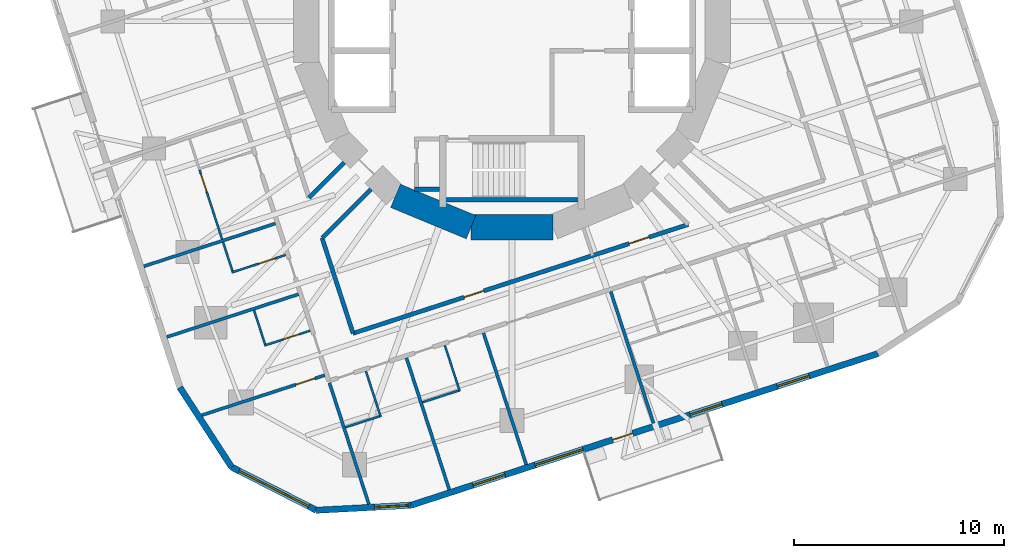
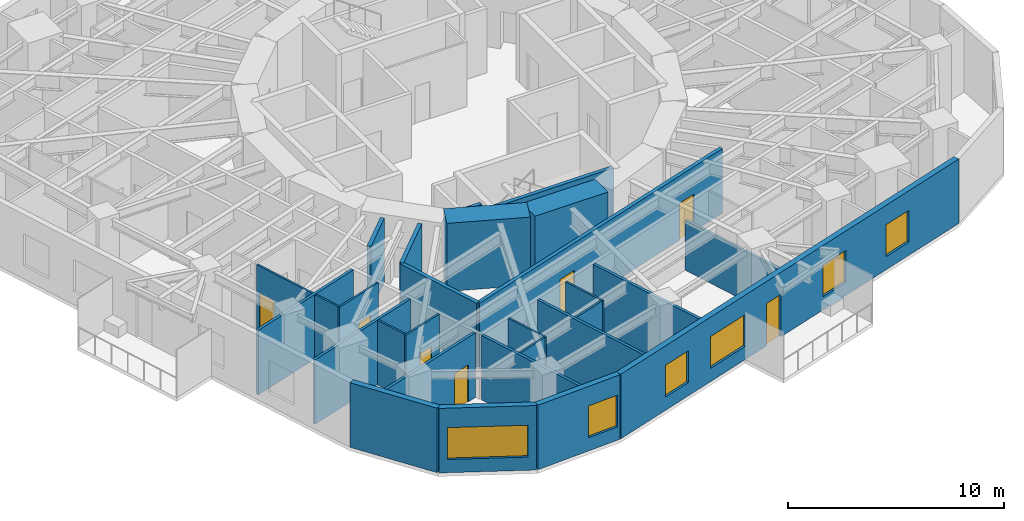
# One storey, part 4 of 12: 28 walls, 7 doors, 6 windows, 13 openings.
"""IFC4 building model written with IfcOpenShell, lengths in metres."""

from ifc_helpers import new_model, si_unit, direction, frame, frame_2d, origin, place, context, subcontext, project, spatial, rectangle, extrude, material, layer, layer_set, type_object, element, fill, save


model = new_model("IFC4")

# Units and contexts
model_context = context("Model", 3, precision=1e-05, world=origin(), true_north=direction((0.0, 1.0)))
body_context = subcontext(model_context, "Body", "Model", "MODEL_VIEW")
ifc_project = project(units=[si_unit("LENGTHUNIT", "METRE"), si_unit("AREAUNIT", "SQUARE_METRE"), si_unit("VOLUMEUNIT", "CUBIC_METRE"), si_unit("PLANEANGLEUNIT", "RADIAN"), si_unit("MASSUNIT", "GRAM", prefix="KILO")], contexts=[model_context])

# Site, building, storey
site_placement = place(None, origin())
site = spatial("IfcSite", under=ifc_project, at=site_placement, CompositionType="ELEMENT")
building_placement = place(site_placement, origin())
building = spatial("IfcBuilding", under=site, at=building_placement, Name="Nakasero Lantern House", CompositionType="ELEMENT")
storey_placement = place(building_placement, frame((0.0, 0.0, 149.5)))
storey = spatial("IfcBuildingStorey", under=building, at=storey_placement, Name="L36", CompositionType="ELEMENT", Elevation=149.5)

# Walls
ifc_material_1 = material(Name="Concrete C50/60", Category="concrete")
ifc_layer_1 = layer(ifc_material_1, 1.199951171875)
ifc_layer_set_1 = layer_set([ifc_layer_1], Name="Core wall 1200")
wall_type_1 = type_object("IfcWallType", Name="Core wall 1200", PredefinedType="SHEAR", material=ifc_layer_set_1)
for number, where, z_axis, x_axis, name in (
    (1, (-5.5556640625, -8.314697265625, 0.0), (0.0, 0.0, 1.0), (0.923876507187, -0.382690736062, 0.0), "Core wall L36 facet 11"),
    (2, (-1.950927734375, -9.807861328125, 0.0), (0.0, 0.0, 1.0), (1.0, 0.0, 0.0), "Core wall L36 facet 12"),
):
    element("IfcWall", number, at=place(storey_placement, frame(where, z_axis=z_axis, x_axis=x_axis)), inside=storey, type_object=wall_type_1, Name=name, PredefinedType="SHEAR", context=body_context, shape_type="SweptSolid", body=[
        extrude(rectangle(XDim=3.90185546875, YDim=1.199951171875, at=frame_2d((1.950927734375, 0.0))), origin(), (0.0, 0.0, 1.0), 3.85009765625),
    ])
ifc_material_2 = material(Name="Blockwork", Category="masonry")
ifc_layer_2 = layer(ifc_material_2, 0.199951171875)
ifc_layer_set_2 = layer_set([ifc_layer_2], Name="Corridor wall 200")
wall_type_2 = type_object("IfcWallType", Name="Corridor wall 200", PredefinedType="PARTITIONING", material=ifc_layer_set_2)
wall_1_placement = place(storey_placement, frame((-9.052490234375, -10.3251953125, 0.0), z_axis=(0.0, 0.0, 1.0), x_axis=(0.309013275037, -0.951057724773, 0.0)))
element("IfcWall", 3, at=wall_1_placement, inside=storey, type_object=wall_type_2, Name="Corridor wall L36 IW2-1", PredefinedType="PARTITIONING", context=body_context, shape_type="SweptSolid", body=[
    extrude(rectangle(XDim=4.777587890625, YDim=0.199951171875, at=frame_2d((2.388671875, 0.0))), origin(), (0.0, 0.0, 1.0), 3.64990234375),
])

# Wall, openings, doors
wall_2_placement = place(storey_placement, frame((-7.576171875, -14.868896484375, 0.0), z_axis=(0.0, 0.0, 1.0), x_axis=(0.951057770893, 0.309013133095, 0.0)))
wall_2 = element("IfcWall", 4, at=wall_2_placement, inside=storey, type_object=wall_type_2, Name="Corridor wall L36 IW3-0", PredefinedType="PARTITIONING", context=body_context, shape_type="SweptSolid", body=[
    extrude(rectangle(XDim=16.80224609375, YDim=0.199951171875, at=frame_2d((8.401123046875, 0.0))), origin(), (0.0, 0.0, 1.0), 3.64990234375),
])
opening_1_placement = place(wall_2_placement, frame((5.5625, 0.0, 0.0)))
opening_1 = element("IfcOpeningElement", 5, at=opening_1_placement, cuts=wall_2, Name="Opening D07", PredefinedType="OPENING", context=body_context, shape_type="SweptSolid", body=[
    extrude(rectangle(XDim=1.0, YDim=2.10009765625, at=frame_2d((0.5, 1.050048828125))), frame((0.0, 0.119873046875, 0.0), z_axis=(0.0, -1.0, 0.0), x_axis=(1.0, 0.0, 0.0)), (0.0, 0.0, 1.0), 0.239990234375),
])
opening_2_placement = place(wall_2_placement, frame((13.838623046875, 0.0, 0.0)))
opening_2 = element("IfcOpeningElement", 6, at=opening_2_placement, cuts=wall_2, Name="Opening D07", PredefinedType="OPENING", context=body_context, shape_type="SweptSolid", body=[
    extrude(rectangle(XDim=1.0, YDim=2.10009765625, at=frame_2d((0.5, 1.050048828125))), frame((0.0, 0.119873046875, 0.0), z_axis=(0.0, -1.0, 0.0), x_axis=(1.0, 0.0, 0.0)), (0.0, 0.0, 1.0), 0.239990234375),
])
ifc_material_3 = material(Name="Timber C24", Category="wood")
door_type_1 = type_object("IfcDoorType", Name="Room door FD30S 1000", OperationType="SINGLE_SWING_LEFT", PredefinedType="DOOR", material=ifc_material_3)
door_1_placement = place(opening_1_placement, origin())
door_1 = element("IfcDoor", 7, at=door_1_placement, inside=storey, type_object=door_type_1, Name="Door L36 DI2", OperationType="SINGLE_SWING_LEFT", OverallHeight=2.10009765625, OverallWidth=1.0, PredefinedType="DOOR", context=body_context, shape_type="SweptSolid", body=[
    extrude(rectangle(XDim=1.0, YDim=2.10009765625, at=frame_2d((0.5, 1.050048828125))), frame((0.0, 0.02490234375, 0.0), z_axis=(0.0, -1.0, 0.0), x_axis=(1.0, 0.0, 0.0)), (0.0, 0.0, 1.0), 0.050048828125),
])
fill(opening_1, door_1)
door_2_placement = place(opening_2_placement, origin())
door_2 = element("IfcDoor", 8, at=door_2_placement, inside=storey, type_object=door_type_1, Name="Door L36 DI3", OperationType="SINGLE_SWING_RIGHT", OverallHeight=2.10009765625, OverallWidth=1.0, PredefinedType="DOOR", context=body_context, shape_type="SweptSolid", body=[
    extrude(rectangle(XDim=1.0, YDim=2.10009765625, at=frame_2d((0.5, 1.050048828125))), frame((0.0, 0.02490234375, 0.0), z_axis=(0.0, -1.0, 0.0), x_axis=(1.0, 0.0, 0.0)), (0.0, 0.0, 1.0), 0.050048828125),
])
fill(opening_2, door_2)

# Walls
wall_3_placement = place(storey_placement, frame((-6.72314453125, -7.995849609375, 0.0), z_axis=(0.0, 0.0, 1.0), x_axis=(-0.707106781187, -0.707106781187, 0.0)))
element("IfcWall", 9, at=wall_3_placement, inside=storey, type_object=wall_type_2, Name="Corridor wall L36 PS10a", PredefinedType="PARTITIONING", context=body_context, shape_type="SweptSolid", body=[
    extrude(rectangle(XDim=3.294189453125, YDim=0.199951171875, at=frame_2d((1.64697265625, 0.0))), origin(), (0.0, 0.0, 1.0), 3.64990234375),
])
wall_4_placement = place(storey_placement, frame((-7.995849609375, -6.72314453125, 0.0), z_axis=(0.0, 0.0, 1.0), x_axis=(-0.707158134306, -0.707055424337, 0.0)))
element("IfcWall", 10, at=wall_4_placement, inside=storey, type_object=wall_type_2, Name="Corridor wall L36 PS10b", PredefinedType="PARTITIONING", context=body_context, shape_type="SweptSolid", body=[
    extrude(rectangle(XDim=2.376953125, YDim=0.199951171875, at=frame_2d((1.1884765625, 0.0))), origin(), (0.0, 0.0, 1.0), 3.64990234375),
])

# Wall, opening, door
ifc_material_4 = material(Name="Blockwork", Category="masonry")
ifc_layer_3 = layer(ifc_material_4, 0.10009765625)
ifc_layer_set_3 = layer_set([ifc_layer_3], Name="En-suite wall 100")
wall_type_3 = type_object("IfcWallType", Name="En-suite wall 100", PredefinedType="PARTITIONING", material=ifc_layer_set_3)
wall_5_placement = place(storey_placement, frame((-10.7880859375, -11.131591796875, 0.0), z_axis=(0.0, 0.0, 1.0), x_axis=(-0.951043371037, -0.309057448393, 0.0)))
wall_5 = element("IfcWall", 11, at=wall_5_placement, inside=storey, type_object=wall_type_3, Name="En-suite wall L36 ES2-05", PredefinedType="PARTITIONING", context=body_context, shape_type="SweptSolid", body=[
    extrude(rectangle(XDim=2.699951171875, YDim=0.10009765625, at=frame_2d((1.35009765625, 0.0))), origin(), (0.0, 0.0, 1.0), 3.64990234375),
])
opening_3_placement = place(wall_5_placement, frame((0.550048828125, 0.0, 0.0)))
opening_3 = element("IfcOpeningElement", 12, at=opening_3_placement, cuts=wall_5, Name="Opening D02", PredefinedType="OPENING", context=body_context, shape_type="SweptSolid", body=[
    extrude(rectangle(XDim=0.800048828125, YDim=2.10009765625, at=frame_2d((0.39990234375, 1.050048828125))), frame((0.0, 0.070068359375, 0.0), z_axis=(0.0, -1.0, 0.0), x_axis=(1.0, 0.0, 0.0)), (0.0, 0.0, 1.0), 0.14013671875),
])
ifc_material_5 = material(Name="Timber C24", Category="wood")
door_type_2 = type_object("IfcDoorType", Name="En-suite door 800", OperationType="SINGLE_SWING_RIGHT", PredefinedType="DOOR", material=ifc_material_5)
door_3_placement = place(opening_3_placement, origin())
door_3 = element("IfcDoor", 13, at=door_3_placement, inside=storey, type_object=door_type_2, Name="Door L36 DE2-05", OperationType="SINGLE_SWING_LEFT", OverallHeight=2.10009765625, OverallWidth=0.800048828125, PredefinedType="DOOR", context=body_context, shape_type="SweptSolid", body=[
    extrude(rectangle(XDim=0.800048828125, YDim=2.10009765625, at=frame_2d((0.39990234375, 1.050048828125))), frame((0.0, 0.02490234375, 0.0), z_axis=(0.0, -1.0, 0.0), x_axis=(1.0, 0.0, 0.0)), (0.0, 0.0, 1.0), 0.050048828125),
])
fill(opening_3, door_3)

# Wall
wall_6_placement = place(storey_placement, frame((-13.77197265625, -10.52392578125, 0.0), z_axis=(0.0, 0.0, 1.0), x_axis=(0.308945211672, -0.951079836914, 0.0)))
element("IfcWall", 14, at=wall_6_placement, inside=storey, type_object=wall_type_3, Name="En-suite wall L36 EE2-05", PredefinedType="PARTITIONING", context=body_context, shape_type="SweptSolid", body=[
    extrude(rectangle(XDim=1.4501953125, YDim=0.10009765625, at=frame_2d((0.72509765625, 0.0))), origin(), (0.0, 0.0, 1.0), 3.64990234375),
])

# Wall, opening, door
wall_7_placement = place(storey_placement, frame((-9.61572265625, -14.740234375, 0.0), z_axis=(0.0, 0.0, 1.0), x_axis=(-0.951055129775, -0.309021261611, 0.0)))
wall_7 = element("IfcWall", 15, at=wall_7_placement, inside=storey, type_object=wall_type_3, Name="En-suite wall L36 ES2-06", PredefinedType="PARTITIONING", context=body_context, shape_type="SweptSolid", body=[
    extrude(rectangle(XDim=2.2998046875, YDim=0.10009765625, at=frame_2d((1.14990234375, 0.0))), origin(), (0.0, 0.0, 1.0), 3.64990234375),
])
opening_4_placement = place(wall_7_placement, frame((0.550048828125, 0.0, 0.0)))
opening_4 = element("IfcOpeningElement", 16, at=opening_4_placement, cuts=wall_7, Name="Opening D02", PredefinedType="OPENING", context=body_context, shape_type="SweptSolid", body=[
    extrude(rectangle(XDim=0.800048828125, YDim=2.10009765625, at=frame_2d((0.39990234375, 1.050048828125))), frame((0.0, 0.070068359375, 0.0), z_axis=(0.0, -1.0, 0.0), x_axis=(1.0, 0.0, 0.0)), (0.0, 0.0, 1.0), 0.14013671875),
])
door_4_placement = place(opening_4_placement, origin())
door_4 = element("IfcDoor", 17, at=door_4_placement, inside=storey, type_object=door_type_2, Name="Door L36 DE2-06", OperationType="SINGLE_SWING_LEFT", OverallHeight=2.10009765625, OverallWidth=0.800048828125, PredefinedType="DOOR", context=body_context, shape_type="SweptSolid", body=[
    extrude(rectangle(XDim=0.800048828125, YDim=2.10009765625, at=frame_2d((0.39990234375, 1.050048828125))), frame((0.0, 0.02490234375, 0.0), z_axis=(0.0, -1.0, 0.0), x_axis=(1.0, 0.0, 0.0)), (0.0, 0.0, 1.0), 0.050048828125),
])
fill(opening_4, door_4)

# Walls
wall_8_placement = place(storey_placement, frame((-12.29638671875, -13.771240234375, 0.0), z_axis=(0.0, 0.0, 1.0), x_axis=(0.309066587596, -0.951040401051, 0.0)))
element("IfcWall", 18, at=wall_8_placement, inside=storey, type_object=wall_type_3, Name="En-suite wall L36 EE2-06", PredefinedType="PARTITIONING", context=body_context, shape_type="SweptSolid", body=[
    extrude(rectangle(XDim=1.699951171875, YDim=0.10009765625, at=frame_2d((0.85009765625, 0.0))), origin(), (0.0, 0.0, 1.0), 3.64990234375),
])
wall_9_placement = place(storey_placement, frame((-6.965087890625, -16.668212890625, 0.0), z_axis=(0.0, 0.0, 1.0), x_axis=(0.309021261611, -0.951055129775, 0.0)))
element("IfcWall", 19, at=wall_9_placement, inside=storey, type_object=wall_type_3, Name="En-suite wall L36 ES3-00", PredefinedType="PARTITIONING", context=body_context, shape_type="SweptSolid", body=[
    extrude(rectangle(XDim=2.2998046875, YDim=0.10009765625, at=frame_2d((1.14990234375, 0.0))), origin(), (0.0, 0.0, 1.0), 3.64990234375),
])
wall_10_placement = place(storey_placement, frame((-7.934326171875, -19.348876953125, 0.0), z_axis=(0.0, 0.0, 1.0), x_axis=(0.951054116971, 0.309024378638, 0.0)))
element("IfcWall", 20, at=wall_10_placement, inside=storey, type_object=wall_type_3, Name="En-suite wall L36 EE3-00", PredefinedType="PARTITIONING", context=body_context, shape_type="SweptSolid", body=[
    extrude(rectangle(XDim=1.7001953125, YDim=0.10009765625, at=frame_2d((0.85009765625, 0.0))), origin(), (0.0, 0.0, 1.0), 3.64990234375),
])
wall_11_placement = place(storey_placement, frame((-3.199462890625, -15.444580078125, 0.0), z_axis=(0.0, 0.0, 1.0), x_axis=(0.308990065628, -0.951065265554, 0.0)))
element("IfcWall", 21, at=wall_11_placement, inside=storey, type_object=wall_type_3, Name="En-suite wall L36 ES3-01", PredefinedType="PARTITIONING", context=body_context, shape_type="SweptSolid", body=[
    extrude(rectangle(XDim=2.300048828125, YDim=0.10009765625, at=frame_2d((1.14990234375, 0.0))), origin(), (0.0, 0.0, 1.0), 3.64990234375),
])
wall_12_placement = place(storey_placement, frame((-4.263671875, -18.15625, 0.0), z_axis=(0.0, 0.0, 1.0), x_axis=(0.951030081821, 0.309098339485, 0.0)))
element("IfcWall", 22, at=wall_12_placement, inside=storey, type_object=wall_type_3, Name="En-suite wall L36 EE3-01", PredefinedType="PARTITIONING", context=body_context, shape_type="SweptSolid", body=[
    extrude(rectangle(XDim=1.800048828125, YDim=0.10009765625, at=frame_2d((0.89990234375, 0.0))), origin(), (0.0, 0.0, 1.0), 3.64990234375),
])

# Wall, opening, door
wall_13_placement = place(storey_placement, frame((-14.89404296875, -7.070556640625, 0.0), z_axis=(0.0, 0.0, 1.0), x_axis=(0.309002023619, -0.951061380458, 0.0)))
wall_13 = element("IfcWall", 23, at=wall_13_placement, inside=storey, type_object=wall_type_3, Name="En-suite wall L36 EL2-04", PredefinedType="PARTITIONING", context=body_context, shape_type="SweptSolid", body=[
    extrude(rectangle(XDim=3.481201171875, YDim=0.10009765625, at=frame_2d((1.74072265625, 0.0))), origin(), (0.0, 0.0, 1.0), 3.64990234375),
])
opening_5_placement = place(wall_13_placement, frame((0.199951171875, 0.0, 0.0)))
opening_5 = element("IfcOpeningElement", 24, at=opening_5_placement, cuts=wall_13, Name="Opening D17", PredefinedType="OPENING", context=body_context, shape_type="SweptSolid", body=[
    extrude(rectangle(XDim=0.89990234375, YDim=2.10009765625, at=frame_2d((0.449951171875, 1.050048828125))), frame((0.0, 0.070068359375, 0.0), z_axis=(0.0, -1.0, 0.0), x_axis=(1.0, 0.0, 0.0)), (0.0, 0.0, 1.0), 0.14013671875),
])
ifc_material_6 = material(Name="Timber C24", Category="wood")
door_type_3 = type_object("IfcDoorType", Name="Bedroom door FD30S 900", OperationType="SINGLE_SWING_LEFT", PredefinedType="DOOR", material=ifc_material_6)
door_5_placement = place(opening_5_placement, origin())
door_5 = element("IfcDoor", 25, at=door_5_placement, inside=storey, type_object=door_type_3, Name="Door L36 DL2-04", OperationType="SINGLE_SWING_LEFT", OverallHeight=2.10009765625, OverallWidth=0.89990234375, PredefinedType="DOOR", context=body_context, shape_type="SweptSolid", body=[
    extrude(rectangle(XDim=0.89990234375, YDim=2.10009765625, at=frame_2d((0.449951171875, 1.050048828125))), frame((0.0, 0.02490234375, 0.0), z_axis=(0.0, -1.0, 0.0), x_axis=(1.0, 0.0, 0.0)), (0.0, 0.0, 1.0), 0.050048828125),
])
fill(opening_5, door_5)

# Wall
ifc_material_7 = material(Name="Aluminium rainscreen on blockwork", Category="masonry")
ifc_layer_4 = layer(ifc_material_7, 0.300048828125)
ifc_layer_set_4 = layer_set([ifc_layer_4], Name="Facade wall 300")
wall_type_4 = type_object("IfcWallType", Name="Facade wall 300", PredefinedType="SOLIDWALL", material=ifc_layer_set_4)
wall_14_placement = place(storey_placement, frame((-15.83349609375, -17.44677734375, 0.0), z_axis=(0.0, 0.0, 1.0), x_axis=(0.544634002266, -0.838673836229, 0.0)))
element("IfcWall", 26, at=wall_14_placement, inside=storey, type_object=wall_type_4, Name="Facade wall L36 FW2C1", PredefinedType="SOLIDWALL", context=body_context, shape_type="SweptSolid", body=[
    extrude(rectangle(XDim=4.529296875, YDim=0.300048828125, at=frame_2d((2.2646484375, 0.0))), origin(), (0.0, 0.0, 1.0), 3.64990234375),
])

# Wall, opening, window
wall_15_placement = place(storey_placement, frame((-13.36669921875, -21.245361328125, 0.0), z_axis=(0.0, 0.0, 1.0), x_axis=(0.890994655705, -0.454013792196, 0.0)))
wall_15 = element("IfcWall", 27, at=wall_15_placement, inside=storey, type_object=wall_type_4, Name="Facade wall L36 FW2C2", PredefinedType="SOLIDWALL", context=body_context, shape_type="SweptSolid", body=[
    extrude(rectangle(XDim=4.529296875, YDim=0.300048828125, at=frame_2d((2.2646484375, 0.0))), origin(), (0.0, 0.0, 1.0), 3.64990234375),
])
opening_6_placement = place(wall_15_placement, frame((0.39990234375, 0.0, 0.75)))
opening_6 = element("IfcOpeningElement", 28, at=opening_6_placement, cuts=wall_15, Name="Opening W237A", PredefinedType="OPENING", context=body_context, shape_type="SweptSolid", body=[
    extrude(rectangle(XDim=3.72900390625, YDim=1.800048828125, at=frame_2d((1.864501953125, 0.89990234375))), frame((0.0, 0.169921875, 0.0), z_axis=(0.0, -1.0, 0.0), x_axis=(1.0, 0.0, 0.0)), (0.0, 0.0, 1.0), 0.340087890625),
])
ifc_material_8 = material(Name="Aluminium 6063-T6 and glass", Category="aluminium")
window_type_1 = type_object("IfcWindowType", Name="Corner window 3729x1800", PartitioningType="SINGLE_PANEL", PredefinedType="WINDOW", material=ifc_material_8)
window_1_placement = place(opening_6_placement, origin())
window_1 = element("IfcWindow", 29, at=window_1_placement, inside=storey, type_object=window_type_1, Name="Window L36 WC2", OverallHeight=1.800048828125, OverallWidth=3.72900390625, PartitioningType="SINGLE_PANEL", PredefinedType="WINDOW", context=body_context, shape_type="SweptSolid", body=[
    extrude(rectangle(XDim=3.72900390625, YDim=1.800048828125, at=frame_2d((1.864501953125, 0.89990234375))), frame((0.0, 0.030029296875, 0.0), z_axis=(0.0, -1.0, 0.0), x_axis=(1.0, 0.0, 0.0)), (0.0, 0.0, 1.0), 0.06005859375),
])
fill(opening_6, window_1)

wall_16_placement = place(storey_placement, frame((-9.3310546875, -23.3017578125, 0.0), z_axis=(0.0, 0.0, 1.0), x_axis=(0.998629419044, 0.052338164079, 0.0)))
wall_16 = element("IfcWall", 30, at=wall_16_placement, inside=storey, type_object=wall_type_4, Name="Facade wall L36 FW2C3", PredefinedType="SOLIDWALL", context=body_context, shape_type="SweptSolid", body=[
    extrude(rectangle(XDim=4.529296875, YDim=0.300048828125, at=frame_2d((2.2646484375, 0.0))), origin(), (0.0, 0.0, 1.0), 3.64990234375),
])
opening_7_placement = place(wall_16_placement, frame((2.784912109375, 0.0, 0.75)))
opening_7 = element("IfcOpeningElement", 31, at=opening_7_placement, cuts=wall_16, Name="Opening W01", PredefinedType="OPENING", context=body_context, shape_type="SweptSolid", body=[
    extrude(rectangle(XDim=1.60009765625, YDim=1.800048828125, at=frame_2d((0.800048828125, 0.89990234375))), frame((0.0, 0.169921875, 0.0), z_axis=(0.0, -1.0, 0.0), x_axis=(1.0, 0.0, 0.0)), (0.0, 0.0, 1.0), 0.340087890625),
])
ifc_material_9 = material(Name="Aluminium 6063-T6 and glass", Category="aluminium")
window_type_2 = type_object("IfcWindowType", Name="Bedroom window 1600x1800", PartitioningType="SINGLE_PANEL", PredefinedType="WINDOW", material=ifc_material_9)
window_2_placement = place(opening_7_placement, origin())
window_2 = element("IfcWindow", 32, at=window_2_placement, inside=storey, type_object=window_type_2, Name="Window L36 WN3-00", OverallHeight=1.800048828125, OverallWidth=1.60009765625, PartitioningType="SINGLE_PANEL", PredefinedType="WINDOW", context=body_context, shape_type="SweptSolid", body=[
    extrude(rectangle(XDim=1.60009765625, YDim=1.800048828125, at=frame_2d((0.800048828125, 0.89990234375))), frame((0.0, 0.030029296875, 0.0), z_axis=(0.0, -1.0, 0.0), x_axis=(1.0, 0.0, 0.0)), (0.0, 0.0, 1.0), 0.06005859375),
])
fill(opening_7, window_2)

# Wall, openings, door, windows
wall_17_placement = place(storey_placement, frame((-4.807861328125, -23.064697265625, 0.0), z_axis=(0.0, 0.0, 1.0), x_axis=(0.951053618334, 0.30902591324, 0.0)))
wall_17 = element("IfcWall", 33, at=wall_17_placement, inside=storey, type_object=wall_type_4, Name="Facade wall L36 FW3S", PredefinedType="SOLIDWALL", context=body_context, shape_type="SweptSolid", body=[
    extrude(rectangle(XDim=23.39990234375, YDim=0.300048828125, at=frame_2d((11.699951171875, 0.0))), origin(), (0.0, 0.0, 1.0), 3.64990234375),
])
opening_8_placement = place(wall_17_placement, frame((3.089111328125, 0.0, 0.75)))
opening_8 = element("IfcOpeningElement", 34, at=opening_8_placement, cuts=wall_17, Name="Opening W01", PredefinedType="OPENING", context=body_context, shape_type="SweptSolid", body=[
    extrude(rectangle(XDim=1.60009765625, YDim=1.800048828125, at=frame_2d((0.800048828125, 0.89990234375))), frame((0.0, 0.169921875, 0.0), z_axis=(0.0, -1.0, 0.0), x_axis=(1.0, 0.0, 0.0)), (0.0, 0.0, 1.0), 0.340087890625),
])
opening_9_placement = place(wall_17_placement, frame((13.987548828125, 0.0, 0.75)))
opening_9 = element("IfcOpeningElement", 35, at=opening_9_placement, cuts=wall_17, Name="Opening W01", PredefinedType="OPENING", context=body_context, shape_type="SweptSolid", body=[
    extrude(rectangle(XDim=1.60009765625, YDim=1.800048828125, at=frame_2d((0.800048828125, 0.89990234375))), frame((0.0, 0.169921875, 0.0), z_axis=(0.0, -1.0, 0.0), x_axis=(1.0, 0.0, 0.0)), (0.0, 0.0, 1.0), 0.340087890625),
])
opening_10_placement = place(wall_17_placement, frame((18.350341796875, 0.0, 0.75)))
opening_10 = element("IfcOpeningElement", 36, at=opening_10_placement, cuts=wall_17, Name="Opening W01", PredefinedType="OPENING", context=body_context, shape_type="SweptSolid", body=[
    extrude(rectangle(XDim=1.60009765625, YDim=1.800048828125, at=frame_2d((0.800048828125, 0.89990234375))), frame((0.0, 0.169921875, 0.0), z_axis=(0.0, -1.0, 0.0), x_axis=(1.0, 0.0, 0.0)), (0.0, 0.0, 1.0), 0.340087890625),
])
opening_11_placement = place(wall_17_placement, frame((6.21337890625, 0.0, 0.75)))
opening_11 = element("IfcOpeningElement", 37, at=opening_11_placement, cuts=wall_17, Name="Opening W03", PredefinedType="OPENING", context=body_context, shape_type="SweptSolid", body=[
    extrude(rectangle(XDim=2.39990234375, YDim=1.800048828125, at=frame_2d((1.199951171875, 0.89990234375))), frame((0.0, 0.169921875, 0.0), z_axis=(0.0, -1.0, 0.0), x_axis=(1.0, 0.0, 0.0)), (0.0, 0.0, 1.0), 0.340087890625),
])
opening_12_placement = place(wall_17_placement, frame((10.1025390625, 0.0, 0.0)))
opening_12 = element("IfcOpeningElement", 38, at=opening_12_placement, cuts=wall_17, Name="Opening D04", PredefinedType="OPENING", context=body_context, shape_type="SweptSolid", body=[
    extrude(rectangle(XDim=1.0, YDim=2.39990234375, at=frame_2d((0.5, 1.199951171875))), frame((0.0, 0.169921875, 0.0), z_axis=(0.0, -1.0, 0.0), x_axis=(1.0, 0.0, 0.0)), (0.0, 0.0, 1.0), 0.340087890625),
])
ifc_material_10 = material(Name="Aluminium 6063-T6 and glass", Category="aluminium")
door_type_4 = type_object("IfcDoorType", Name="Balcony door 1000x2400", OperationType="SINGLE_SWING_RIGHT", PredefinedType="DOOR", material=ifc_material_10)
door_6_placement = place(opening_12_placement, origin())
door_6 = element("IfcDoor", 39, at=door_6_placement, inside=storey, type_object=door_type_4, Name="Balcony door L36 DB3", OperationType="SINGLE_SWING_RIGHT", OverallHeight=2.39990234375, OverallWidth=1.0, PredefinedType="DOOR", context=body_context, shape_type="SweptSolid", body=[
    extrude(rectangle(XDim=1.0, YDim=2.39990234375, at=frame_2d((0.5, 1.199951171875))), frame((0.0, 0.02490234375, 0.0), z_axis=(0.0, -1.0, 0.0), x_axis=(1.0, 0.0, 0.0)), (0.0, 0.0, 1.0), 0.050048828125),
])
fill(opening_12, door_6)
window_3_placement = place(opening_8_placement, origin())
window_3 = element("IfcWindow", 40, at=window_3_placement, inside=storey, type_object=window_type_2, Name="Window L36 WN3-01", OverallHeight=1.800048828125, OverallWidth=1.60009765625, PartitioningType="SINGLE_PANEL", PredefinedType="WINDOW", context=body_context, shape_type="SweptSolid", body=[
    extrude(rectangle(XDim=1.60009765625, YDim=1.800048828125, at=frame_2d((0.800048828125, 0.89990234375))), frame((0.0, 0.030029296875, 0.0), z_axis=(0.0, -1.0, 0.0), x_axis=(1.0, 0.0, 0.0)), (0.0, 0.0, 1.0), 0.06005859375),
])
fill(opening_8, window_3)
window_4_placement = place(opening_9_placement, origin())
window_4 = element("IfcWindow", 41, at=window_4_placement, inside=storey, type_object=window_type_2, Name="Window L36 WN3-04", OverallHeight=1.800048828125, OverallWidth=1.60009765625, PartitioningType="SINGLE_PANEL", PredefinedType="WINDOW", context=body_context, shape_type="SweptSolid", body=[
    extrude(rectangle(XDim=1.60009765625, YDim=1.800048828125, at=frame_2d((0.800048828125, 0.89990234375))), frame((0.0, 0.030029296875, 0.0), z_axis=(0.0, -1.0, 0.0), x_axis=(1.0, 0.0, 0.0)), (0.0, 0.0, 1.0), 0.06005859375),
])
fill(opening_9, window_4)
window_5_placement = place(opening_10_placement, origin())
window_5 = element("IfcWindow", 42, at=window_5_placement, inside=storey, type_object=window_type_2, Name="Window L36 WN3-05", OverallHeight=1.800048828125, OverallWidth=1.60009765625, PartitioningType="SINGLE_PANEL", PredefinedType="WINDOW", context=body_context, shape_type="SweptSolid", body=[
    extrude(rectangle(XDim=1.60009765625, YDim=1.800048828125, at=frame_2d((0.800048828125, 0.89990234375))), frame((0.0, 0.030029296875, 0.0), z_axis=(0.0, -1.0, 0.0), x_axis=(1.0, 0.0, 0.0)), (0.0, 0.0, 1.0), 0.06005859375),
])
fill(opening_10, window_5)
ifc_material_11 = material(Name="Aluminium 6063-T6 and glass", Category="aluminium")
window_type_3 = type_object("IfcWindowType", Name="Lounge window 2400x1800", PartitioningType="SINGLE_PANEL", PredefinedType="WINDOW", material=ifc_material_11)
window_6_placement = place(opening_11_placement, origin())
window_6 = element("IfcWindow", 43, at=window_6_placement, inside=storey, type_object=window_type_3, Name="Window L36 WK3", OverallHeight=1.800048828125, OverallWidth=2.39990234375, PartitioningType="SINGLE_PANEL", PredefinedType="WINDOW", context=body_context, shape_type="SweptSolid", body=[
    extrude(rectangle(XDim=2.39990234375, YDim=1.800048828125, at=frame_2d((1.199951171875, 0.89990234375))), frame((0.0, 0.030029296875, 0.0), z_axis=(0.0, -1.0, 0.0), x_axis=(1.0, 0.0, 0.0)), (0.0, 0.0, 1.0), 0.06005859375),
])
fill(opening_11, window_6)

# Walls
ifc_material_12 = material(Name="Blockwork", Category="masonry")
ifc_layer_5 = layer(ifc_material_12, 0.199951171875)
ifc_layer_set_5 = layer_set([ifc_layer_5], Name="Fire lobby wall 200")
wall_type_5 = type_object("IfcWallType", Name="Fire lobby wall 200", PredefinedType="PARTITIONING", material=ifc_layer_set_5)
wall_18_placement = place(storey_placement, frame((-3.449951171875, -8.0, 0.0), z_axis=(0.0, 0.0, 1.0), x_axis=(-1.0, 0.0, 0.0)))
element("IfcWall", 44, at=wall_18_placement, inside=storey, type_object=wall_type_5, Name="Fire lobby wall L36 W-RS2S", PredefinedType="PARTITIONING", context=body_context, shape_type="SweptSolid", body=[
    extrude(rectangle(XDim=1.199951171875, YDim=0.199951171875, at=frame_2d((0.60009765625, 0.0))), origin(), (0.0, 0.0, 1.0), 3.64990234375),
])
wall_19_placement = place(storey_placement, frame((-3.300048828125, -8.5, 0.0), z_axis=(0.0, 0.0, 1.0), x_axis=(1.0, 0.0, 0.0)))
element("IfcWall", 45, at=wall_19_placement, inside=storey, type_object=wall_type_5, Name="Fire lobby wall L36 W-STS", PredefinedType="PARTITIONING", context=body_context, shape_type="SweptSolid", body=[
    extrude(rectangle(XDim=6.60009765625, YDim=0.199951171875, at=frame_2d((3.300048828125, 0.0))), origin(), (0.0, 0.0, 1.0), 3.64990234375),
])
ifc_material_13 = material(Name="Blockwork", Category="masonry")
ifc_layer_6 = layer(ifc_material_13, 0.14990234375)
ifc_layer_set_6 = layer_set([ifc_layer_6], Name="Party wall 150")
wall_type_6 = type_object("IfcWallType", Name="Party wall 150", PredefinedType="PARTITIONING", material=ifc_layer_set_6)
for number, where, z_axis, x_axis, name in (
    (46, (-11.27490234375, -9.6337890625, 0.0), (0.0, 0.0, 1.0), (-0.951053095941, -0.309027520945, 0.0), "Party wall L36 PW2-05"),
    (47, (-10.1796875, -13.004638671875, 0.0), (0.0, 0.0, 1.0), (-0.951053095941, -0.309027520945, 0.0), "Party wall L36 PW2-06"),
):
    element("IfcWall", number, at=place(storey_placement, frame(where, z_axis=z_axis, x_axis=x_axis)), inside=storey, type_object=wall_type_6, Name=name, PredefinedType="PARTITIONING", context=body_context, shape_type="SweptSolid", body=[
        extrude(rectangle(XDim=6.599853515625, YDim=0.14990234375, at=frame_2d((3.2998046875, 0.0))), origin(), (0.0, 0.0, 1.0), 3.64990234375),
    ])

# Wall, opening, door
wall_20_placement = place(storey_placement, frame((-8.9248046875, -16.8662109375, 0.0), z_axis=(0.0, 0.0, 1.0), x_axis=(-0.951051818488, -0.309031452366, 0.0)))
wall_20 = element("IfcWall", 48, at=wall_20_placement, inside=storey, type_object=wall_type_6, Name="Party wall L36 PC2", PredefinedType="PARTITIONING", context=body_context, shape_type="SweptSolid", body=[
    extrude(rectangle(XDim=6.165283203125, YDim=0.14990234375, at=frame_2d((3.08251953125, 0.0))), origin(), (0.0, 0.0, 1.0), 3.64990234375),
])
opening_13_placement = place(wall_20_placement, frame((0.5, 0.0, 0.0)))
opening_13 = element("IfcOpeningElement", 49, at=opening_13_placement, cuts=wall_20, Name="Opening D01", PredefinedType="OPENING", context=body_context, shape_type="SweptSolid", body=[
    extrude(rectangle(XDim=0.949951171875, YDim=2.10009765625, at=frame_2d((0.47509765625, 1.050048828125))), frame((0.0, 0.094970703125, 0.0), z_axis=(0.0, -1.0, 0.0), x_axis=(1.0, 0.0, 0.0)), (0.0, 0.0, 1.0), 0.18994140625),
])
ifc_material_14 = material(Name="Timber C24", Category="wood")
door_type_5 = type_object("IfcDoorType", Name="Bedroom door FD30S 950", OperationType="SINGLE_SWING_LEFT", PredefinedType="DOOR", material=ifc_material_14)
door_7_placement = place(opening_13_placement, origin())
door_7 = element("IfcDoor", 50, at=door_7_placement, inside=storey, type_object=door_type_5, Name="Door L36 DC2", OperationType="SINGLE_SWING_LEFT", OverallHeight=2.10009765625, OverallWidth=0.949951171875, PredefinedType="DOOR", context=body_context, shape_type="SweptSolid", body=[
    extrude(rectangle(XDim=0.949951171875, YDim=2.10009765625, at=frame_2d((0.47509765625, 1.050048828125))), frame((0.0, 0.02490234375, 0.0), z_axis=(0.0, -1.0, 0.0), x_axis=(1.0, 0.0, 0.0)), (0.0, 0.0, 1.0), 0.050048828125),
])
fill(opening_13, door_7)

# Walls
wall_21_placement = place(storey_placement, frame((-8.700927734375, -17.232177734375, 0.0), z_axis=(0.0, 0.0, 1.0), x_axis=(0.309015253813, -0.951057081836, 0.0)))
element("IfcWall", 51, at=wall_21_placement, inside=storey, type_object=wall_type_6, Name="Party wall L36 PW3-00", PredefinedType="PARTITIONING", context=body_context, shape_type="SweptSolid", body=[
    extrude(rectangle(XDim=6.080322265625, YDim=0.14990234375, at=frame_2d((3.0400390625, 0.0))), origin(), (0.0, 0.0, 1.0), 3.64990234375),
])
for number, where, z_axis, x_axis, name in (
    (52, (-5.0302734375, -16.03955078125, 0.0), (0.0, 0.0, 1.0), (0.309027520945, -0.951053095941, 0.0), "Party wall L36 PW3-01"),
    (53, (-1.359619140625, -14.846923828125, 0.0), (0.0, 0.0, 1.0), (0.309027520945, -0.951053095941, 0.0), "Party wall L36 PW3-02"),
):
    element("IfcWall", number, at=place(storey_placement, frame(where, z_axis=z_axis, x_axis=x_axis)), inside=storey, type_object=wall_type_6, Name=name, PredefinedType="PARTITIONING", context=body_context, shape_type="SweptSolid", body=[
        extrude(rectangle(XDim=6.599853515625, YDim=0.14990234375, at=frame_2d((3.2998046875, 0.0))), origin(), (0.0, 0.0, 1.0), 3.64990234375),
    ])
wall_22_placement = place(storey_placement, frame((4.706298828125, -12.8759765625, 0.0), z_axis=(0.0, 0.0, 1.0), x_axis=(0.309027520945, -0.951053095941, 0.0)))
element("IfcWall", 54, at=wall_22_placement, inside=storey, type_object=wall_type_6, Name="Party wall L36 PW3-04", PredefinedType="PARTITIONING", context=body_context, shape_type="SweptSolid", body=[
    extrude(rectangle(XDim=6.599853515625, YDim=0.14990234375, at=frame_2d((3.2998046875, 0.0))), origin(), (0.0, 0.0, 1.0), 2.809326171875),
])

save(model, "model.ifc")
